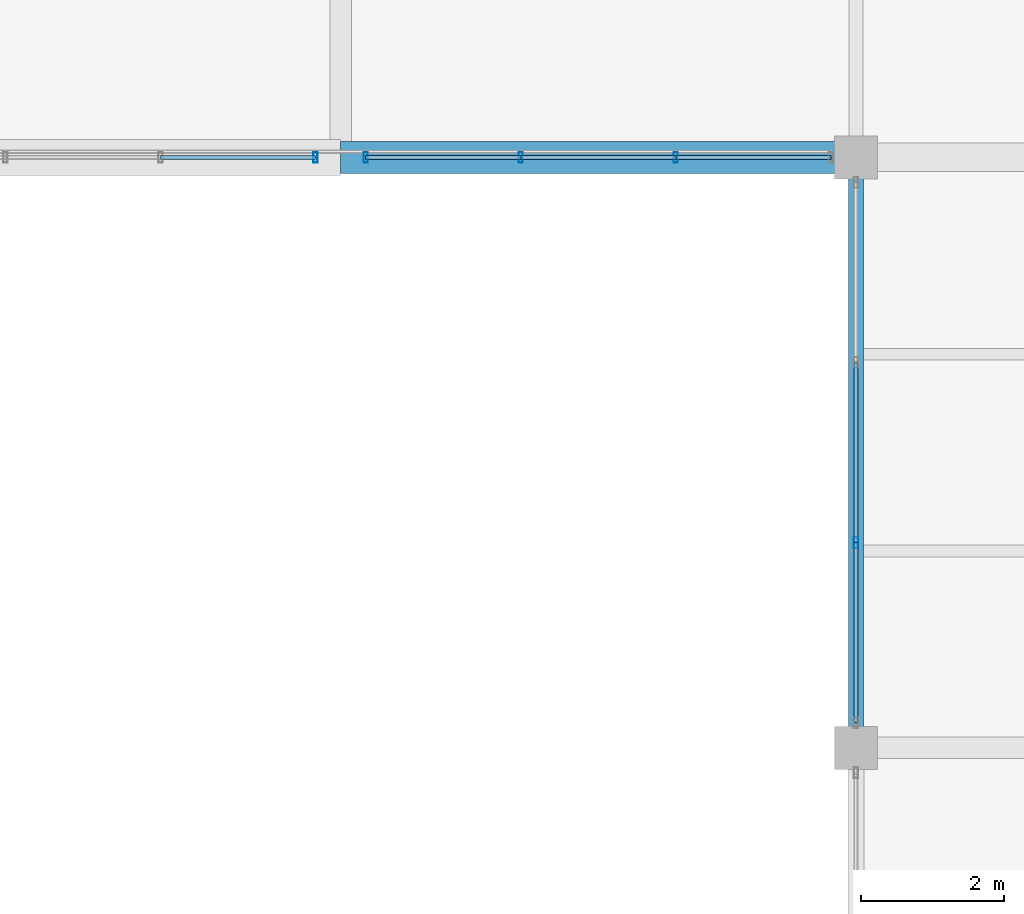
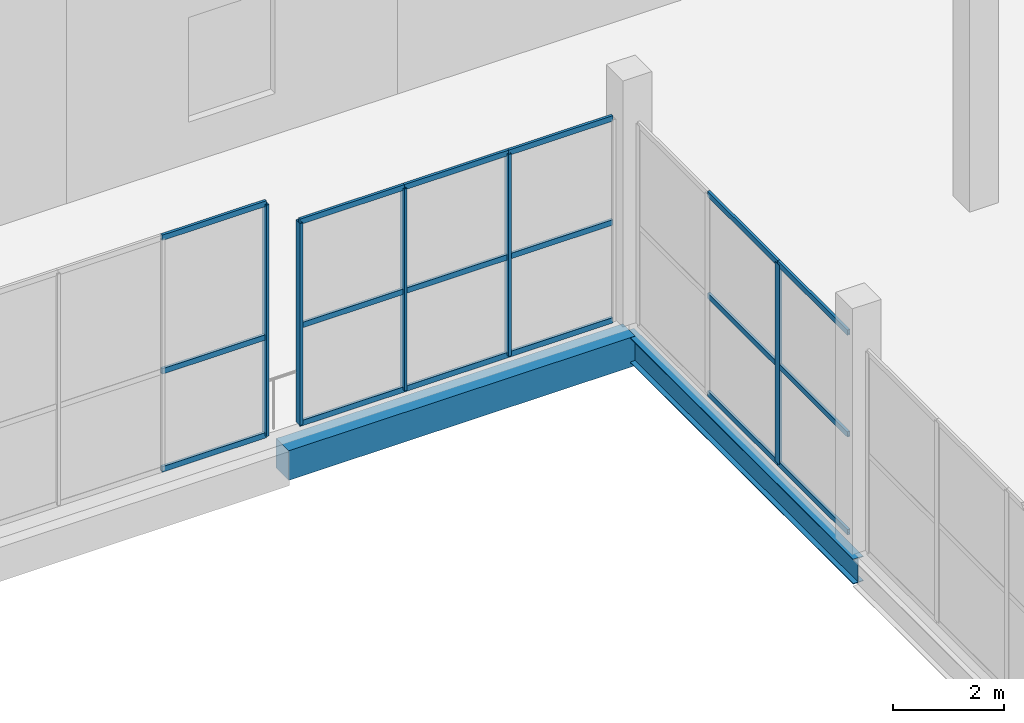
# One storey, part 97 of 141: 23 members, 2 beams, 3 elements without a shape of their own.
"""IFC4 building model written with IfcOpenShell, lengths in metres."""

import ifcopenshell
import ifcopenshell.guid

model = None  # the IFC model being written
_history = None  # IfcOwnerHistory: only IFC2X3 demands one
_inside = {}  # id of a spatial element -> (the spatial element, [elements in it])
_under = {}  # id of a project, library or spatial element -> (it, [spatial elements below it])
_declared = {}  # id of a project -> (the project, [libraries it declares])
_typed = {}  # id of a type object -> (the type object, [elements of that type])
_made_of = {}  # id of a material, layer set ... -> (it, [elements and type objects made of it])


def new_model(schema):
    """Start an empty IFC model of exactly this schema.

    Asked for "IFC4X3", IfcOpenShell would pick the latest addendum, in which some entities
    have other attributes; the version numbers below select the first issue.
    IFC2X3 requires an IfcOwnerHistory on every rooted entity: one is made here for all.
    """
    global model, _history
    if schema == "IFC4X3":
        model = ifcopenshell.file(schema_version=(4, 3, 0, 0))
    else:
        model = ifcopenshell.file(schema=schema)
    _inside.clear()
    _under.clear()
    _declared.clear()
    _typed.clear()
    _made_of.clear()
    _history = None
    if model.schema == "IFC2X3":
        org = make("IfcOrganization", Name="unknown")
        user = make(
            "IfcPersonAndOrganization",
            ThePerson=make("IfcPerson", FamilyName="unknown"),
            TheOrganization=org,
        )
        app = make(
            "IfcApplication",
            ApplicationDeveloper=org,
            Version="unknown",
            ApplicationFullName="unknown",
            ApplicationIdentifier="unknown",
        )
        _history = make(
            "IfcOwnerHistory",
            OwningUser=user,
            OwningApplication=app,
            ChangeAction="ADDED",
            CreationDate=0,
        )
    return model


def make(cls, **values):
    """One entity of the class cls with the attributes given. An attribute that is None is left unset."""
    return model.create_entity(
        cls, **{name: value for name, value in values.items() if value is not None}
    )


def rooted(cls, **values):
    """An entity with a GlobalId (a new one), such as an element, a storey or a relation."""
    return make(cls, GlobalId=ifcopenshell.guid.new(), OwnerHistory=_history, **values)


def si_unit(unit_type, name, prefix=None):
    """IfcSIUnit, for example si_unit("LENGTHUNIT", "METRE", prefix="MILLI")."""
    return make("IfcSIUnit", UnitType=unit_type, Prefix=prefix, Name=name)


def assignment(units):
    """IfcUnitAssignment: the units of a project."""
    return None if units is None else make("IfcUnitAssignment", Units=units)


def point(xyz):
    """IfcCartesianPoint."""
    return None if xyz is None else make("IfcCartesianPoint", Coordinates=xyz)


def direction(xyz):
    """IfcDirection."""
    return None if xyz is None else make("IfcDirection", DirectionRatios=xyz)


def frame(location, z_axis=None, x_axis=None):
    """IfcAxis2Placement3D, a coordinate frame: its origin and axes. An axis left out is left unset."""
    return make(
        "IfcAxis2Placement3D",
        Location=point(location),
        Axis=direction(z_axis),
        RefDirection=direction(x_axis),
    )


def frame_2d(location, x_axis=None):
    """IfcAxis2Placement2D, a coordinate frame in the plane: its origin and x axis."""
    return make(
        "IfcAxis2Placement2D", Location=point(location), RefDirection=direction(x_axis)
    )


def origin():
    """The frame at (0, 0, 0) with its axes left unset."""
    return frame((0.0, 0.0, 0.0))


def origin_2d():
    """The frame at (0, 0) in the plane with its x axis left unset."""
    return frame_2d((0.0, 0.0))


def place(relative_to, where):
    """IfcLocalPlacement: puts the frame where relative to a parent placement (None: the world)."""
    return make(
        "IfcLocalPlacement", PlacementRelTo=relative_to, RelativePlacement=where
    )


def context(
    kind, dimensions, precision=None, world=None, true_north=None, identifier=None
):
    """IfcGeometricRepresentationContext, for example the 3D "Model" context."""
    return make(
        "IfcGeometricRepresentationContext",
        ContextIdentifier=identifier,
        ContextType=kind,
        CoordinateSpaceDimension=dimensions,
        Precision=precision,
        WorldCoordinateSystem=world,
        TrueNorth=true_north,
    )


def subcontext(parent, identifier, kind, view, scale=None):
    """IfcGeometricRepresentationSubContext, for example "Body" below "Model"."""
    return make(
        "IfcGeometricRepresentationSubContext",
        ContextIdentifier=identifier,
        ContextType=kind,
        ParentContext=parent,
        TargetScale=scale,
        TargetView=view,
    )


def project(units=None, contexts=None):
    """IfcProject with its units and contexts."""
    return rooted(
        "IfcProject",
        Name="project",
        RepresentationContexts=contexts,
        UnitsInContext=assignment(units),
    )


def spatial(cls, under=None, at=None, **own):
    """A site, building, storey or space (cls), placed at a placement, below another one or the project."""
    s = rooted(cls, ObjectPlacement=at, **own)
    if under is not None:
        _under.setdefault(under.id(), (under, []))[1].append(s)
    return s


def profile(cls, at=None, kind="AREA", **sizes):
    """A parametric profile (cls). Its sizes go by their IFC names, for example OverallWidth=200.0."""
    return make(cls, ProfileType=kind, Position=at, **sizes)


def rectangle(**sizes):
    """IfcRectangleProfileDef."""
    return profile("IfcRectangleProfileDef", **sizes)


def hollow_rectangle(**sizes):
    """IfcRectangleHollowProfileDef."""
    return profile("IfcRectangleHollowProfileDef", **sizes)


def i_section(**sizes):
    """IfcIShapeProfileDef."""
    return profile("IfcIShapeProfileDef", **sizes)


def extrude(swept, where, along, depth):
    """IfcExtrudedAreaSolid: the profile swept, set in the frame where, extruded along a direction by depth."""
    return make(
        "IfcExtrudedAreaSolid",
        SweptArea=swept,
        Position=where,
        ExtrudedDirection=direction(along),
        Depth=depth,
    )


def shape(context_of_items, identifier, shape_type, items):
    """IfcShapeRepresentation: the items that make up one representation, for example the "Body"."""
    return make(
        "IfcShapeRepresentation",
        ContextOfItems=context_of_items,
        RepresentationIdentifier=identifier,
        RepresentationType=shape_type,
        Items=items,
    )


def material(Name=None, Category=None):
    """IfcMaterial."""
    return make("IfcMaterial", Name=Name, Category=Category)


def layer(
    of_material, thickness, ventilated=None, Name=None, Category=None, Priority=None
):
    """IfcMaterialLayer: one layer of a wall or slab, of a material (None: an air gap)."""
    return make(
        "IfcMaterialLayer",
        Material=of_material,
        LayerThickness=thickness,
        IsVentilated=ventilated,
        Name=Name,
        Category=Category,
        Priority=Priority,
    )


def layer_set(layers, Name=None):
    """IfcMaterialLayerSet."""
    return make("IfcMaterialLayerSet", MaterialLayers=layers, LayerSetName=Name)


def material_profile(
    of_material, cross_section, Name=None, Category=None, Priority=None
):
    """IfcMaterialProfile: a cross section and its material."""
    return make(
        "IfcMaterialProfile",
        Name=Name,
        Material=of_material,
        Profile=cross_section,
        Priority=Priority,
        Category=Category,
    )


def profile_set(profiles, Name=None, composite=None):
    """IfcMaterialProfileSet."""
    return make(
        "IfcMaterialProfileSet",
        Name=Name,
        MaterialProfiles=profiles,
        CompositeProfile=composite,
    )


def made_of(thing, what):
    """Note that an element or type object is made of a material, layer set ...; save() writes the relation."""
    if what is not None:
        _made_of.setdefault(what.id(), (what, []))[1].append(thing)
    return thing


def type_object(cls, material=None, **own):
    """A type object (cls), such as IfcWallType, which elements share."""
    return made_of(rooted(cls, **own), material)


def element(
    cls,
    number,
    at=None,
    inside=None,
    cuts=None,
    type_object=None,
    material=None,
    context=None,
    identifier="Body",
    shape_type=None,
    held_by="IfcProductDefinitionShape",
    body=None,
    shapes=None,
    **own,
):
    """One element of the class cls, such as IfcWall. Its Tag is "e" and its number.

    at: its placement. inside: the storey or other place that contains it. cuts: it is an
    opening in that element (IfcRelVoidsElement). A single representation is given by context,
    identifier, shape_type and body (its items); several are given by shapes. held_by: the class
    of the entity that holds the representations. save() writes the other relations.
    """
    e = rooted(cls, Tag="e%d" % number, ObjectPlacement=at, **own)
    if body is not None:
        shapes = [shape(context, identifier, shape_type, body)]
    if shapes is not None:
        e.Representation = make(held_by, Representations=shapes)
    if inside is not None:
        _inside.setdefault(inside.id(), (inside, []))[1].append(e)
    if cuts is not None:
        rooted(
            "IfcRelVoidsElement", RelatingBuildingElement=cuts, RelatedOpeningElement=e
        )
    if type_object is not None:
        _typed.setdefault(type_object.id(), (type_object, []))[1].append(e)
    return made_of(e, material)


def aggregate(whole, parts):
    """IfcRelAggregates: a whole, such as a stair, and the parts it consists of."""
    return rooted("IfcRelAggregates", RelatingObject=whole, RelatedObjects=parts)


def save(model, path):
    """Write the relations noted so far, then the file.

    IfcRelAggregates (storeys below a building ...), IfcRelContainedInSpatialStructure (elements
    in a storey), IfcRelDefinesByType, IfcRelAssociatesMaterial and IfcRelDeclares: one each for
    every whole, place, type object, material and project.
    """
    for whole, parts in _under.values():
        aggregate(whole, parts)
    for where, things in _inside.values():
        rooted(
            "IfcRelContainedInSpatialStructure",
            RelatedElements=things,
            RelatingStructure=where,
        )
    for kind, things in _typed.values():
        rooted("IfcRelDefinesByType", RelatedObjects=things, RelatingType=kind)
    for what, things in _made_of.values():
        rooted("IfcRelAssociatesMaterial", RelatedObjects=things, RelatingMaterial=what)
    for by, libraries in _declared.values():
        rooted("IfcRelDeclares", RelatingContext=by, RelatedDefinitions=libraries)
    model.write(path)


model = new_model("IFC4")

# Units and contexts
model_context = context("Model", 3, precision=1e-05, world=origin(), true_north=direction((0.0, 1.0)))
body_context = subcontext(model_context, "Body", "Model", "MODEL_VIEW")
ifc_project = project(units=[si_unit("LENGTHUNIT", "METRE"), si_unit("AREAUNIT", "SQUARE_METRE"), si_unit("VOLUMEUNIT", "CUBIC_METRE"), si_unit("PLANEANGLEUNIT", "RADIAN"), si_unit("MASSUNIT", "GRAM", prefix="KILO")], contexts=[model_context])

# Site, building, storey
site_placement = place(None, origin())
site = spatial("IfcSite", under=ifc_project, at=site_placement, CompositionType="ELEMENT")
building_placement = place(site_placement, origin())
building = spatial("IfcBuilding", under=site, at=building_placement, Name="Sundgate Opera House", CompositionType="ELEMENT")
storey_placement = place(building_placement, frame((0.0, 0.0, 11.39990234375)))
storey = spatial("IfcBuildingStorey", under=building, at=storey_placement, Name="L02", CompositionType="ELEMENT", Elevation=11.39990234375)

# Beams
ifc_material_1 = material(Name="Steel S355J2", Category="steel")
ifc_material_profile_1 = material_profile(ifc_material_1, i_section(OverallWidth=0.2099609375, OverallDepth=0.550048828125, WebThickness=0.010986328125, FlangeThickness=0.01708984375, at=origin_2d()), Name="IPE 550")
ifc_profile_set_1 = profile_set([ifc_material_profile_1], Name="Steel S355J2")
beam_type_1 = type_object("IfcBeamType", Name="BM-GR-IPE550", PredefinedType="BEAM", material=ifc_profile_set_1)
beam_1_placement = place(storey_placement, frame((153.0, 103.5, -0.625), z_axis=(0.0, 1.0, 0.0), x_axis=(-1.0, 0.0, 0.0)))
element("IfcBeam", 1, at=beam_1_placement, inside=storey, type_object=beam_type_1, Name="L02 Primary N-S Girder B1938", PredefinedType="BEAM", context=body_context, shape_type="SweptSolid", body=[
    extrude(i_section(OverallWidth=0.2099609375, OverallDepth=0.550048828125, WebThickness=0.010986328125, FlangeThickness=0.01708984375, at=origin_2d()), origin(), (0.0, 0.0, 1.0), 8.25),
])
ifc_material_2 = material(Name="Concrete C35/45", Category="concrete")
ifc_material_profile_2 = material_profile(ifc_material_2, rectangle(XDim=0.449951171875, YDim=0.64990234375, at=origin_2d()), Name="RC 450x650")
ifc_profile_set_2 = profile_set([ifc_material_profile_2], Name="Concrete C35/45")
beam_type_2 = type_object("IfcBeamType", Name="BM-RC-450x650", PredefinedType="BEAM", material=ifc_profile_set_2)
beam_2_placement = place(storey_placement, frame((145.800048828125, 111.75, -0.6748046875), z_axis=(1.0, 0.0, 0.0), x_axis=(0.0, 1.0, 0.0)))
element("IfcBeam", 2, at=beam_2_placement, inside=storey, type_object=beam_type_2, Name="L02 Primary E-W Girder B2110", PredefinedType="BEAM", context=body_context, shape_type="SweptSolid", body=[
    extrude(rectangle(XDim=0.449951171875, YDim=0.64990234375, at=origin_2d()), origin(), (0.0, 0.0, 1.0), 7.199951171875),
])

# Curtain wall, member
ifc_material_3 = material(Name="Anodized aluminium and low-iron glass", Category="aluminium")
ifc_layer = layer(ifc_material_3, 0.159912109375)
ifc_layer_set = layer_set([ifc_layer], Name="Anodized aluminium and low-iron glass")
curtain_wall_type = type_object("IfcCurtainWallType", Name="CW-STUDIO-DARK", PredefinedType="NOTDEFINED", material=ifc_layer_set)
curtain_wall_1_placement = place(storey_placement, origin())
curtain_wall_1 = element("IfcCurtainWall", 3, at=curtain_wall_1_placement, inside=storey, type_object=curtain_wall_type, Name="L02 Curtain Wall CW113", PredefinedType="NOTDEFINED")
ifc_material_4 = material(Name="Anodized aluminium EN AW-6063", Category="aluminium")
ifc_material_profile_3 = material_profile(ifc_material_4, hollow_rectangle(XDim=0.06005859375, YDim=0.14990234375, WallThickness=0.00390625, at=origin_2d()), Name="CWM 150x60x4")
ifc_profile_set_3 = profile_set([ifc_material_profile_3], Name="Anodized aluminium EN AW-6063")
member_type_1 = type_object("IfcMemberType", Name="CWM-ALU-150x60", PredefinedType="MULLION", material=ifc_profile_set_3)
member_1_placement = place(storey_placement, frame((145.449951171875, 111.75, 0.0), z_axis=(0.0, 0.0, 1.0), x_axis=(1.0, 0.0, 0.0)))
member_1 = element("IfcMember", 4, at=member_1_placement, type_object=member_type_1, Name="CW113 Mullion 1", PredefinedType="MULLION", context=body_context, shape_type="SweptSolid", body=[
    extrude(hollow_rectangle(XDim=0.06005859375, YDim=0.14990234375, WallThickness=0.00390625, at=origin_2d()), origin(), (0.0, 0.0, 1.0), 5.085205078125),
])

# Curtain wall, members
curtain_wall_2_placement = place(storey_placement, origin())
curtain_wall_2 = element("IfcCurtainWall", 5, at=curtain_wall_2_placement, inside=storey, type_object=curtain_wall_type, Name="L02 Curtain Wall CW115", PredefinedType="NOTDEFINED")
member_2_placement = place(storey_placement, frame((150.4833984375, 111.75, 0.0), z_axis=(0.0, 0.0, 1.0), x_axis=(1.0, 0.0, 0.0)))
member_2 = element("IfcMember", 6, at=member_2_placement, type_object=member_type_1, Name="CW115 Mullion 2", PredefinedType="MULLION", context=body_context, shape_type="SweptSolid", body=[
    extrude(hollow_rectangle(XDim=0.06005859375, YDim=0.14990234375, WallThickness=0.00390625, at=origin_2d()), origin(), (0.0, 0.0, 1.0), 4.43505859375),
])
member_3_placement = place(storey_placement, frame((148.316650390625, 111.75, 0.0), z_axis=(0.0, 0.0, 1.0), x_axis=(1.0, 0.0, 0.0)))
member_3 = element("IfcMember", 7, at=member_3_placement, type_object=member_type_1, Name="CW115 Mullion 3", PredefinedType="MULLION", context=body_context, shape_type="SweptSolid", body=[
    extrude(hollow_rectangle(XDim=0.06005859375, YDim=0.14990234375, WallThickness=0.00390625, at=origin_2d()), origin(), (0.0, 0.0, 1.0), 4.43505859375),
])
member_4_placement = place(storey_placement, frame((146.14990234375, 111.75, 0.0), z_axis=(0.0, 0.0, 1.0), x_axis=(1.0, 0.0, 0.0)))
member_4 = element("IfcMember", 8, at=member_4_placement, type_object=member_type_1, Name="CW115 Mullion 4", PredefinedType="MULLION", context=body_context, shape_type="SweptSolid", body=[
    extrude(hollow_rectangle(XDim=0.06005859375, YDim=0.14990234375, WallThickness=0.00390625, at=origin_2d()), origin(), (0.0, 0.0, 1.0), 4.43505859375),
])

# Curtain wall, member
curtain_wall_3_placement = place(storey_placement, origin())
curtain_wall_3 = element("IfcCurtainWall", 9, at=curtain_wall_3_placement, inside=storey, type_object=curtain_wall_type, Name="L02 Curtain Wall CW121", PredefinedType="NOTDEFINED")
member_5_placement = place(storey_placement, frame((153.0, 106.36669921875, 0.0), z_axis=(0.0, 0.0, 1.0), x_axis=(1.0, 0.0, 0.0)))
member_5 = element("IfcMember", 10, at=member_5_placement, type_object=member_type_1, Name="CW121 Mullion 3", PredefinedType="MULLION", context=body_context, shape_type="SweptSolid", body=[
    extrude(hollow_rectangle(XDim=0.06005859375, YDim=0.14990234375, WallThickness=0.00390625, at=origin_2d()), origin(), (0.0, 0.0, 1.0), 4.385009765625),
])

# Member
ifc_material_5 = material(Name="Anodized aluminium EN AW-6063", Category="aluminium")
ifc_material_profile_4 = material_profile(ifc_material_5, hollow_rectangle(XDim=0.054931640625, YDim=0.1201171875, WallThickness=0.00390625, at=origin_2d()), Name="CWT 120x55x4")
ifc_profile_set_4 = profile_set([ifc_material_profile_4], Name="Anodized aluminium EN AW-6063")
member_type_2 = type_object("IfcMemberType", Name="CWT-ALU-120x55", PredefinedType="USERDEFINED", material=ifc_profile_set_4)
member_6_placement = place(storey_placement, frame((145.449951171875, 111.75, 0.0), z_axis=(-1.0, 0.0, 0.0), x_axis=(0.0, -1.0, 0.0)))
member_6 = element("IfcMember", 11, at=member_6_placement, type_object=member_type_2, Name="CW113 Transom 1", ObjectType="TRANSOM", PredefinedType="USERDEFINED", context=body_context, shape_type="SweptSolid", body=[
    extrude(hollow_rectangle(XDim=0.054931640625, YDim=0.1201171875, WallThickness=0.00390625, at=origin_2d()), origin(), (0.0, 0.0, 1.0), 2.16650390625),
])

member_7_placement = place(storey_placement, frame((145.449951171875, 111.75, 2.150146484375), z_axis=(-1.0, 0.0, 0.0), x_axis=(0.0, -1.0, 0.0)))
member_7 = element("IfcMember", 12, at=member_7_placement, type_object=member_type_2, Name="CW113 Transom 2", ObjectType="TRANSOM", PredefinedType="USERDEFINED", context=body_context, shape_type="SweptSolid", body=[
    extrude(hollow_rectangle(XDim=0.054931640625, YDim=0.1201171875, WallThickness=0.00390625, at=origin_2d()), origin(), (0.0, 0.0, 1.0), 2.16650390625),
])

member_8_placement = place(storey_placement, frame((145.449951171875, 111.75, 5.085205078125), z_axis=(-1.0, 0.0, 0.0), x_axis=(0.0, -1.0, 0.0)))
member_8 = element("IfcMember", 13, at=member_8_placement, type_object=member_type_2, Name="CW113 Transom 3", ObjectType="TRANSOM", PredefinedType="USERDEFINED", context=body_context, shape_type="SweptSolid", body=[
    extrude(hollow_rectangle(XDim=0.054931640625, YDim=0.1201171875, WallThickness=0.00390625, at=origin_2d()), origin(), (0.0, 0.0, 1.0), 2.16650390625),
])

aggregate(curtain_wall_1, [member_1, member_6, member_7, member_8])

member_9_placement = place(storey_placement, frame((152.64990234375, 111.75, 0.0), z_axis=(-1.0, 0.0, 0.0), x_axis=(0.0, -1.0, 0.0)))
member_9 = element("IfcMember", 14, at=member_9_placement, type_object=member_type_2, Name="CW115 Transom 1", ObjectType="TRANSOM", PredefinedType="USERDEFINED", context=body_context, shape_type="SweptSolid", body=[
    extrude(hollow_rectangle(XDim=0.054931640625, YDim=0.1201171875, WallThickness=0.00390625, at=origin_2d()), origin(), (0.0, 0.0, 1.0), 2.16650390625),
])

member_10_placement = place(storey_placement, frame((152.64990234375, 111.75, 2.150146484375), z_axis=(-1.0, 0.0, 0.0), x_axis=(0.0, -1.0, 0.0)))
member_10 = element("IfcMember", 15, at=member_10_placement, type_object=member_type_2, Name="CW115 Transom 2", ObjectType="TRANSOM", PredefinedType="USERDEFINED", context=body_context, shape_type="SweptSolid", body=[
    extrude(hollow_rectangle(XDim=0.054931640625, YDim=0.1201171875, WallThickness=0.00390625, at=origin_2d()), origin(), (0.0, 0.0, 1.0), 2.16650390625),
])

member_11_placement = place(storey_placement, frame((152.64990234375, 111.75, 4.43505859375), z_axis=(-1.0, 0.0, 0.0), x_axis=(0.0, -1.0, 0.0)))
member_11 = element("IfcMember", 16, at=member_11_placement, type_object=member_type_2, Name="CW115 Transom 3", ObjectType="TRANSOM", PredefinedType="USERDEFINED", context=body_context, shape_type="SweptSolid", body=[
    extrude(hollow_rectangle(XDim=0.054931640625, YDim=0.1201171875, WallThickness=0.00390625, at=origin_2d()), origin(), (0.0, 0.0, 1.0), 2.16650390625),
])

member_12_placement = place(storey_placement, frame((150.4833984375, 111.75, 0.0), z_axis=(-1.0, 0.0, 0.0), x_axis=(0.0, -1.0, 0.0)))
member_12 = element("IfcMember", 17, at=member_12_placement, type_object=member_type_2, Name="CW115 Transom 4", ObjectType="TRANSOM", PredefinedType="USERDEFINED", context=body_context, shape_type="SweptSolid", body=[
    extrude(hollow_rectangle(XDim=0.054931640625, YDim=0.1201171875, WallThickness=0.00390625, at=origin_2d()), origin(), (0.0, 0.0, 1.0), 2.166748046875),
])

member_13_placement = place(storey_placement, frame((150.4833984375, 111.75, 2.150146484375), z_axis=(-1.0, 0.0, 0.0), x_axis=(0.0, -1.0, 0.0)))
member_13 = element("IfcMember", 18, at=member_13_placement, type_object=member_type_2, Name="CW115 Transom 5", ObjectType="TRANSOM", PredefinedType="USERDEFINED", context=body_context, shape_type="SweptSolid", body=[
    extrude(hollow_rectangle(XDim=0.054931640625, YDim=0.1201171875, WallThickness=0.00390625, at=origin_2d()), origin(), (0.0, 0.0, 1.0), 2.166748046875),
])

member_14_placement = place(storey_placement, frame((150.4833984375, 111.75, 4.43505859375), z_axis=(-1.0, 0.0, 0.0), x_axis=(0.0, -1.0, 0.0)))
member_14 = element("IfcMember", 19, at=member_14_placement, type_object=member_type_2, Name="CW115 Transom 6", ObjectType="TRANSOM", PredefinedType="USERDEFINED", context=body_context, shape_type="SweptSolid", body=[
    extrude(hollow_rectangle(XDim=0.054931640625, YDim=0.1201171875, WallThickness=0.00390625, at=origin_2d()), origin(), (0.0, 0.0, 1.0), 2.166748046875),
])

member_15_placement = place(storey_placement, frame((148.316650390625, 111.75, 0.0), z_axis=(-1.0, 0.0, 0.0), x_axis=(0.0, -1.0, 0.0)))
member_15 = element("IfcMember", 20, at=member_15_placement, type_object=member_type_2, Name="CW115 Transom 7", ObjectType="TRANSOM", PredefinedType="USERDEFINED", context=body_context, shape_type="SweptSolid", body=[
    extrude(hollow_rectangle(XDim=0.054931640625, YDim=0.1201171875, WallThickness=0.00390625, at=origin_2d()), origin(), (0.0, 0.0, 1.0), 2.166748046875),
])

member_16_placement = place(storey_placement, frame((148.316650390625, 111.75, 2.150146484375), z_axis=(-1.0, 0.0, 0.0), x_axis=(0.0, -1.0, 0.0)))
member_16 = element("IfcMember", 21, at=member_16_placement, type_object=member_type_2, Name="CW115 Transom 8", ObjectType="TRANSOM", PredefinedType="USERDEFINED", context=body_context, shape_type="SweptSolid", body=[
    extrude(hollow_rectangle(XDim=0.054931640625, YDim=0.1201171875, WallThickness=0.00390625, at=origin_2d()), origin(), (0.0, 0.0, 1.0), 2.166748046875),
])

member_17_placement = place(storey_placement, frame((148.316650390625, 111.75, 4.43505859375), z_axis=(-1.0, 0.0, 0.0), x_axis=(0.0, -1.0, 0.0)))
member_17 = element("IfcMember", 22, at=member_17_placement, type_object=member_type_2, Name="CW115 Transom 9", ObjectType="TRANSOM", PredefinedType="USERDEFINED", context=body_context, shape_type="SweptSolid", body=[
    extrude(hollow_rectangle(XDim=0.054931640625, YDim=0.1201171875, WallThickness=0.00390625, at=origin_2d()), origin(), (0.0, 0.0, 1.0), 2.166748046875),
])

aggregate(curtain_wall_2, [member_2, member_3, member_4, member_9, member_10, member_11, member_12, member_13, member_14, member_15, member_16, member_17])

member_18_placement = place(storey_placement, frame((153.0, 108.88330078125, 0.0), z_axis=(0.0, -1.0, 0.0), x_axis=(1.0, 0.0, 0.0)))
member_18 = element("IfcMember", 23, at=member_18_placement, type_object=member_type_2, Name="CW121 Transom 4", ObjectType="TRANSOM", PredefinedType="USERDEFINED", context=body_context, shape_type="SweptSolid", body=[
    extrude(hollow_rectangle(XDim=0.054931640625, YDim=0.1201171875, WallThickness=0.00390625, at=origin_2d()), origin(), (0.0, 0.0, 1.0), 2.5166015625),
])

member_19_placement = place(storey_placement, frame((153.0, 108.88330078125, 2.150146484375), z_axis=(0.0, -1.0, 0.0), x_axis=(1.0, 0.0, 0.0)))
member_19 = element("IfcMember", 24, at=member_19_placement, type_object=member_type_2, Name="CW121 Transom 5", ObjectType="TRANSOM", PredefinedType="USERDEFINED", context=body_context, shape_type="SweptSolid", body=[
    extrude(hollow_rectangle(XDim=0.054931640625, YDim=0.1201171875, WallThickness=0.00390625, at=origin_2d()), origin(), (0.0, 0.0, 1.0), 2.5166015625),
])

member_20_placement = place(storey_placement, frame((153.0, 108.88330078125, 4.385009765625), z_axis=(0.0, -1.0, 0.0), x_axis=(1.0, 0.0, 0.0)))
member_20 = element("IfcMember", 25, at=member_20_placement, type_object=member_type_2, Name="CW121 Transom 6", ObjectType="TRANSOM", PredefinedType="USERDEFINED", context=body_context, shape_type="SweptSolid", body=[
    extrude(hollow_rectangle(XDim=0.054931640625, YDim=0.1201171875, WallThickness=0.00390625, at=origin_2d()), origin(), (0.0, 0.0, 1.0), 2.5166015625),
])

member_21_placement = place(storey_placement, frame((153.0, 106.36669921875, 0.0), z_axis=(0.0, -1.0, 0.0), x_axis=(1.0, 0.0, 0.0)))
member_21 = element("IfcMember", 26, at=member_21_placement, type_object=member_type_2, Name="CW121 Transom 7", ObjectType="TRANSOM", PredefinedType="USERDEFINED", context=body_context, shape_type="SweptSolid", body=[
    extrude(hollow_rectangle(XDim=0.054931640625, YDim=0.1201171875, WallThickness=0.00390625, at=origin_2d()), origin(), (0.0, 0.0, 1.0), 2.5166015625),
])

member_22_placement = place(storey_placement, frame((153.0, 106.36669921875, 2.150146484375), z_axis=(0.0, -1.0, 0.0), x_axis=(1.0, 0.0, 0.0)))
member_22 = element("IfcMember", 27, at=member_22_placement, type_object=member_type_2, Name="CW121 Transom 8", ObjectType="TRANSOM", PredefinedType="USERDEFINED", context=body_context, shape_type="SweptSolid", body=[
    extrude(hollow_rectangle(XDim=0.054931640625, YDim=0.1201171875, WallThickness=0.00390625, at=origin_2d()), origin(), (0.0, 0.0, 1.0), 2.5166015625),
])

member_23_placement = place(storey_placement, frame((153.0, 106.36669921875, 4.385009765625), z_axis=(0.0, -1.0, 0.0), x_axis=(1.0, 0.0, 0.0)))
member_23 = element("IfcMember", 28, at=member_23_placement, type_object=member_type_2, Name="CW121 Transom 9", ObjectType="TRANSOM", PredefinedType="USERDEFINED", context=body_context, shape_type="SweptSolid", body=[
    extrude(hollow_rectangle(XDim=0.054931640625, YDim=0.1201171875, WallThickness=0.00390625, at=origin_2d()), origin(), (0.0, 0.0, 1.0), 2.5166015625),
])

aggregate(curtain_wall_3, [member_5, member_18, member_19, member_20, member_21, member_22, member_23])

save(model, "model.ifc")
